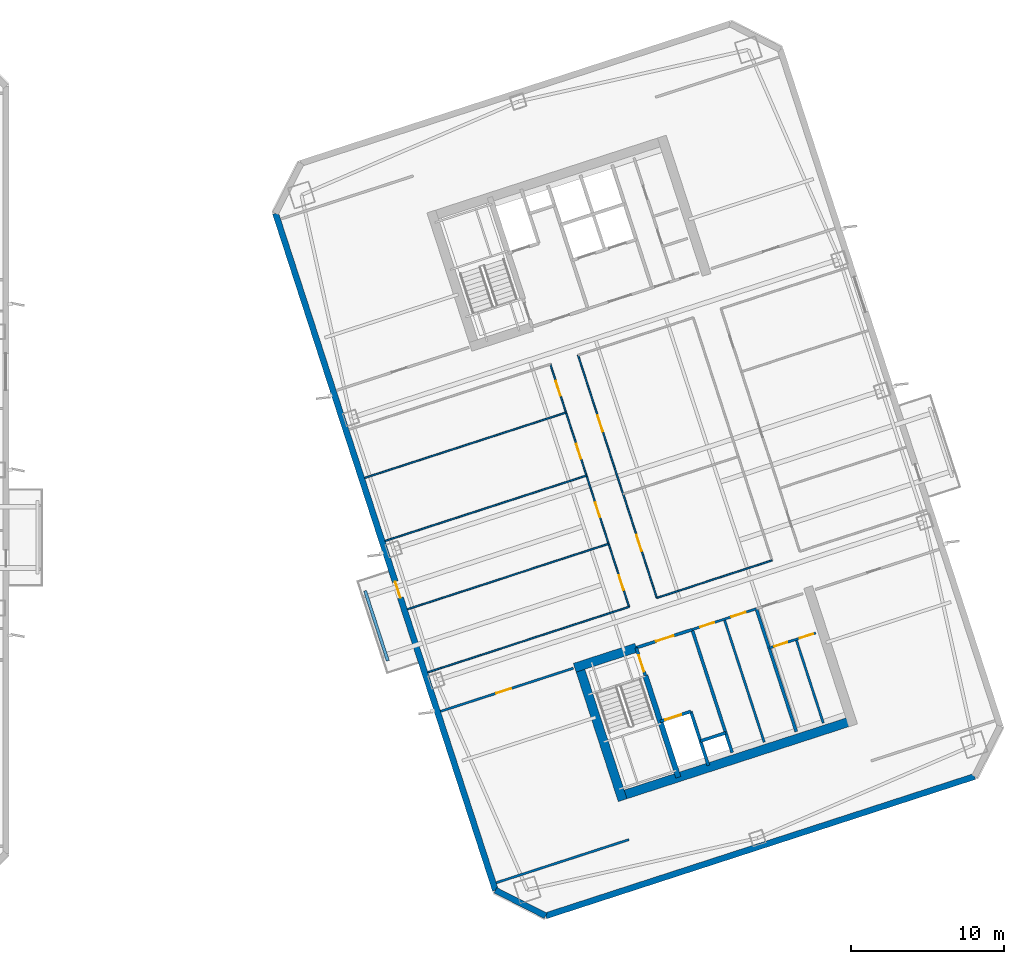
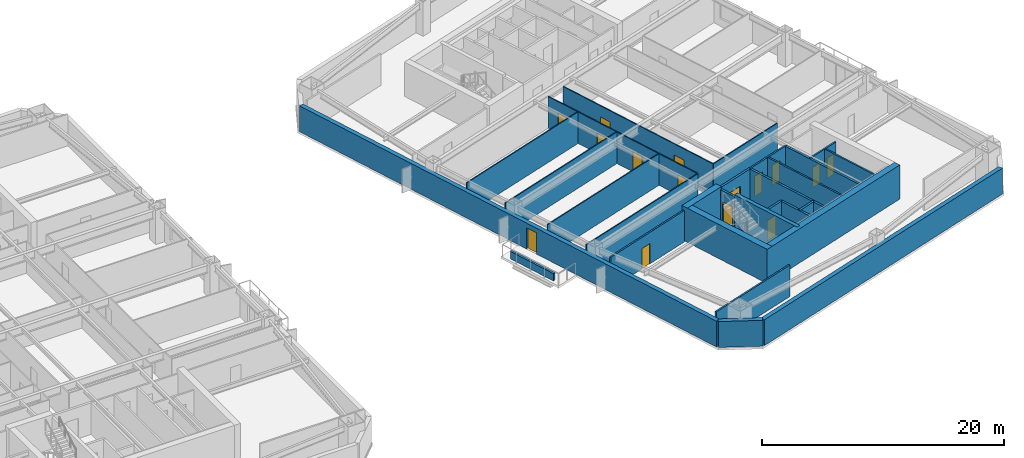
# One storey, part 7 of 16: 28 walls, 15 doors, 15 openings.
"""IFC4 building model written with IfcOpenShell, lengths in metres."""

from ifc_helpers import new_model, si_unit, direction, frame, frame_2d, origin, place, context, subcontext, project, spatial, rectangle, extrude, material, layer, layer_set, type_object, element, fill, save


model = new_model("IFC4")

# Units and contexts
model_context = context("Model", 3, precision=1e-05, world=origin(), true_north=direction((0.0, 1.0)))
body_context = subcontext(model_context, "Body", "Model", "MODEL_VIEW")
ifc_project = project(units=[si_unit("LENGTHUNIT", "METRE"), si_unit("AREAUNIT", "SQUARE_METRE"), si_unit("VOLUMEUNIT", "CUBIC_METRE"), si_unit("PLANEANGLEUNIT", "RADIAN"), si_unit("MASSUNIT", "GRAM", prefix="KILO")], contexts=[model_context])

# Site, building, storey
site_placement = place(None, origin())
site = spatial("IfcSite", under=ifc_project, at=site_placement, CompositionType="ELEMENT")
building_placement = place(site_placement, origin())
building = spatial("IfcBuilding", under=site, at=building_placement, Name="Qiaolan Cultural Towers", CompositionType="ELEMENT")
storey_placement = place(building_placement, frame((0.0, 0.0, 110.39990234375)))
storey = spatial("IfcBuildingStorey", under=building, at=storey_placement, Name="L28", CompositionType="ELEMENT", Elevation=110.39990234375)

# Walls
ifc_material_1 = material(Name="Concrete C50", Category="concrete")
ifc_layer_1 = layer(ifc_material_1, 0.35009765625)
ifc_layer_set_1 = layer_set([ifc_layer_1], Name="Concrete C50")
wall_type_1 = type_object("IfcWallType", Name="WL-CORE-350", PredefinedType="SHEAR", material=ifc_layer_set_1)
wall_1_placement = place(storey_placement, frame((90.486328125, 20.59423828125, 0.0), z_axis=(0.0, 0.0, 1.0), x_axis=(0.309020428229, -0.951055400562, 0.0)))
element("IfcWall", 1, at=wall_1_placement, inside=storey, type_object=wall_type_1, Name="L28 T2-CS Stair Core Dividing Web", PredefinedType="SHEAR", context=body_context, shape_type="SweptSolid", body=[
    extrude(rectangle(XDim=6.97998046875, YDim=0.35009765625, at=frame_2d((3.489990234375, 0.0))), origin(), (0.0, 0.0, 1.0), 3.4501953125),
])
ifc_material_2 = material(Name="Concrete C55", Category="concrete")
ifc_layer_2 = layer(ifc_material_2, 0.60009765625)
ifc_layer_set_2 = layer_set([ifc_layer_2], Name="Concrete C55")
wall_type_2 = type_object("IfcWallType", Name="WL-CORE-600", PredefinedType="SHEAR", material=ifc_layer_set_2)
wall_2_placement = place(storey_placement, frame((88.6298828125, 12.65185546875, 0.0), z_axis=(0.0, 0.0, 1.0), x_axis=(0.95105714907, 0.309015046886, 0.0)))
element("IfcWall", 2, at=wall_2_placement, inside=storey, type_object=wall_type_2, Name="L28 T2-CS Outer Core Shear Wall", PredefinedType="SHEAR", context=body_context, shape_type="SweptSolid", body=[
    extrude(rectangle(XDim=16.400146484375, YDim=0.60009765625, at=frame_2d((8.2001953125, 0.0))), origin(), (0.0, 0.0, 1.0), 3.4501953125),
])
wall_3_placement = place(storey_placement, frame((86.078369140625, 21.47509765625, 0.0), z_axis=(0.0, 0.0, 1.0), x_axis=(0.309017938678, -0.951056209472, 0.0)))
element("IfcWall", 3, at=wall_3_placement, inside=storey, type_object=wall_type_2, Name="L28 T2-CS West Core Shear Wall", PredefinedType="SHEAR", context=body_context, shape_type="SweptSolid", body=[
    extrude(rectangle(XDim=9.479736328125, YDim=0.60009765625, at=frame_2d((4.73974609375, 0.0))), origin(), (0.0, 0.0, 1.0), 3.4501953125),
])
wall_4_placement = place(storey_placement, frame((85.8857421875, 21.09716796875, 0.0), z_axis=(0.0, 0.0, 1.0), x_axis=(0.951068073652, 0.308981422225, 0.0)))
element("IfcWall", 4, at=wall_4_placement, inside=storey, type_object=wall_type_2, Name="L28 T2-CS Stair Front Shear Wall", PredefinedType="SHEAR", context=body_context, shape_type="SweptSolid", body=[
    extrude(rectangle(XDim=4.22021484375, YDim=0.60009765625, at=frame_2d((2.110107421875, 0.0))), origin(), (0.0, 0.0, 1.0), 3.4501953125),
])

# Wall, opening, door
ifc_material_3 = material(Name="Precast Concrete C50 Honed Stone Pier", Category="masonry")
ifc_layer_3 = layer(ifc_material_3, 0.39990234375)
ifc_layer_set_3 = layer_set([ifc_layer_3], Name="Precast Concrete C50 Honed Stone Pier")
wall_type_3 = type_object("IfcWallType", Name="WL-EXT-PIER-400", PredefinedType="SOLIDWALL", material=ifc_layer_set_3)
wall_5_placement = place(storey_placement, frame((80.7158203125, 6.589599609375, 0.0), z_axis=(0.0, 0.0, 1.0), x_axis=(-0.309017542002, 0.95105633836, 0.0)))
wall_5 = element("IfcWall", 5, at=wall_5_placement, inside=storey, type_object=wall_type_3, Name="L28 East Tower Precast Pier Facade Wall F1", PredefinedType="SOLIDWALL", context=body_context, shape_type="SweptSolid", body=[
    extrude(rectangle(XDim=46.39990234375, YDim=0.39990234375, at=frame_2d((23.199951171875, 0.0))), origin(), (0.0, 0.0, 1.0), 2.610107421875),
])
opening_1_placement = place(wall_5_placement, frame((20.050048828125, 0.0, 0.0)))
opening_1 = element("IfcOpeningElement", 6, at=opening_1_placement, cuts=wall_5, Name="Opening BD-01", PredefinedType="OPENING", context=body_context, shape_type="SweptSolid", body=[
    extrude(rectangle(XDim=1.10009765625, YDim=2.14990234375, at=frame_2d((0.550048828125, 1.074951171875))), frame((0.0, 0.2099609375, 0.0), z_axis=(0.0, -1.0, 0.0), x_axis=(1.0, 0.0, 0.0)), (0.0, 0.0, 1.0), 0.419921875),
])
ifc_material_4 = material(Name="Thermally Broken Aluminium Glazed Terrace Door", Category="aluminium")
door_type_1 = type_object("IfcDoorType", Name="DR-BAL-1100", OperationType="NOTDEFINED", PredefinedType="DOOR", material=ifc_material_4)
door_1_placement = place(opening_1_placement, origin())
door_1 = element("IfcDoor", 7, at=door_1_placement, inside=storey, type_object=door_type_1, Name="L28 T2 West Tree Balcony Door", OperationType="SINGLE_SWING_LEFT", OverallHeight=2.14990234375, OverallWidth=1.10009765625, PredefinedType="DOOR", context=body_context, shape_type="SweptSolid", body=[
    extrude(rectangle(XDim=1.10009765625, YDim=2.14990234375, at=frame_2d((0.550048828125, 1.074951171875))), frame((0.0, 0.02490234375, 0.0), z_axis=(0.0, -1.0, 0.0), x_axis=(1.0, 0.0, 0.0)), (0.0, 0.0, 1.0), 0.050048828125),
])
fill(opening_1, door_1)

# Walls
wall_6_placement = place(storey_placement, frame((111.953125, 14.00537109375, 0.0), z_axis=(0.0, 0.0, 1.0), x_axis=(-0.95105505922, -0.309021478754, 0.0)))
element("IfcWall", 8, at=wall_6_placement, inside=storey, type_object=wall_type_3, Name="L28 East Tower Precast Pier Facade Wall F7", PredefinedType="SOLIDWALL", context=body_context, shape_type="SweptSolid", body=[
    extrude(rectangle(XDim=29.39990234375, YDim=0.39990234375, at=frame_2d((14.699951171875, 0.0))), origin(), (0.0, 0.0, 1.0), 2.610107421875),
])
wall_7_placement = place(storey_placement, frame((83.9921875, 4.920166015625, 0.0), z_axis=(0.0, 0.0, 1.0), x_axis=(-0.891001999643, 0.45399937955, 0.0)))
element("IfcWall", 9, at=wall_7_placement, inside=storey, type_object=wall_type_3, Name="L28 East Tower Precast Pier Facade Wall F8", PredefinedType="SOLIDWALL", context=body_context, shape_type="SweptSolid", body=[
    extrude(rectangle(XDim=3.67724609375, YDim=0.39990234375, at=frame_2d((1.838623046875, 0.0))), origin(), (0.0, 0.0, 1.0), 2.610107421875),
])

# Wall, opening, door
ifc_material_5 = material(Name="Concrete C35 Fire Wall", Category="concrete")
ifc_layer_4 = layer(ifc_material_5, 0.199951171875)
ifc_layer_set_4 = layer_set([ifc_layer_4], Name="Concrete C35 Fire Wall")
wall_type_4 = type_object("IfcWallType", Name="WL-FIRE-200", PredefinedType="PARTITIONING", material=ifc_layer_set_4)
wall_8_placement = place(storey_placement, frame((89.8994140625, 22.401123046875, 0.0), z_axis=(0.0, 0.0, 1.0), x_axis=(0.308932062672, -0.951084108086, 0.0)))
wall_8 = element("IfcWall", 10, at=wall_8_placement, inside=storey, type_object=wall_type_4, Name="L28 T2-CS Smokeproof Stair Entry Wall", PredefinedType="PARTITIONING", context=body_context, shape_type="SweptSolid", body=[
    extrude(rectangle(XDim=1.89990234375, YDim=0.199951171875, at=frame_2d((0.949951171875, 0.0))), origin(), (0.0, 0.0, 1.0), 3.175048828125),
])
opening_2_placement = place(wall_8_placement, frame((0.52001953125, 0.0, 0.0)))
opening_2 = element("IfcOpeningElement", 11, at=opening_2_placement, cuts=wall_8, Name="Opening FD-04", PredefinedType="OPENING", context=body_context, shape_type="SweptSolid", body=[
    extrude(rectangle(XDim=1.10009765625, YDim=2.050048828125, at=frame_2d((0.550048828125, 1.02490234375))), frame((0.0, 0.10986328125, 0.0), z_axis=(0.0, -1.0, 0.0), x_axis=(1.0, 0.0, 0.0)), (0.0, 0.0, 1.0), 0.219970703125),
])
ifc_material_6 = material(Name="Galvanized Steel Command Fire Door", Category="steel")
door_type_2 = type_object("IfcDoorType", Name="DR-FD90-1100", OperationType="NOTDEFINED", PredefinedType="DOOR", material=ifc_material_6)
door_2_placement = place(opening_2_placement, origin())
door_2 = element("IfcDoor", 12, at=door_2_placement, inside=storey, type_object=door_type_2, Name="L28 ST-E1 Smokeproof Stair Fire Door", OperationType="SINGLE_SWING_LEFT", OverallHeight=2.050048828125, OverallWidth=1.10009765625, PredefinedType="DOOR", context=body_context, shape_type="SweptSolid", body=[
    extrude(rectangle(XDim=1.10009765625, YDim=2.050048828125, at=frame_2d((0.550048828125, 1.02490234375))), frame((0.0, 0.02490234375, 0.0), z_axis=(0.0, -1.0, 0.0), x_axis=(1.0, 0.0, 0.0)), (0.0, 0.0, 1.0), 0.050048828125),
])
fill(opening_2, door_2)

# Wall
wall_9_placement = place(storey_placement, frame((93.541748046875, 23.584716796875, 0.0), z_axis=(0.0, 0.0, 1.0), x_axis=(0.309042196757, -0.951048327176, 0.0)))
element("IfcWall", 13, at=wall_9_placement, inside=storey, type_object=wall_type_4, Name="L28 T2-CS Firefighting Zone Wall", PredefinedType="PARTITIONING", context=body_context, shape_type="SweptSolid", body=[
    extrude(rectangle(XDim=8.429931640625, YDim=0.199951171875, at=frame_2d((4.21484375, 0.0))), origin(), (0.0, 0.0, 1.0), 3.175048828125),
])

# Wall, opening, door
wall_10_placement = place(storey_placement, frame((89.8994140625, 22.401123046875, 0.0), z_axis=(0.0, 0.0, 1.0), x_axis=(0.951046716504, 0.309047153403, 0.0)))
wall_10 = element("IfcWall", 14, at=wall_10_placement, inside=storey, type_object=wall_type_4, Name="L28 T2-CS Firefighting Lobby Front Wall", PredefinedType="PARTITIONING", context=body_context, shape_type="SweptSolid", body=[
    extrude(rectangle(XDim=3.829833984375, YDim=0.199951171875, at=frame_2d((1.9150390625, 0.0))), origin(), (0.0, 0.0, 1.0), 3.175048828125),
])
opening_3_placement = place(wall_10_placement, frame((1.35009765625, 0.0, 0.0)))
opening_3 = element("IfcOpeningElement", 15, at=opening_3_placement, cuts=wall_10, Name="Opening FD-03", PredefinedType="OPENING", context=body_context, shape_type="SweptSolid", body=[
    extrude(rectangle(XDim=1.199951171875, YDim=2.050048828125, at=frame_2d((0.60009765625, 1.02490234375))), frame((0.0, 0.10986328125, 0.0), z_axis=(0.0, -1.0, 0.0), x_axis=(1.0, 0.0, 0.0)), (0.0, 0.0, 1.0), 0.219970703125),
])
ifc_material_7 = material(Name="Galvanized Steel Smokeproof Lobby Fire Door", Category="steel")
door_type_3 = type_object("IfcDoorType", Name="DR-FD90-1200", OperationType="NOTDEFINED", PredefinedType="DOOR", material=ifc_material_7)
door_3_placement = place(opening_3_placement, origin())
door_3 = element("IfcDoor", 16, at=door_3_placement, inside=storey, type_object=door_type_3, Name="L28 FFL-E1 Firefighting Lobby Fire Door", OperationType="SINGLE_SWING_LEFT", OverallHeight=2.050048828125, OverallWidth=1.199951171875, PredefinedType="DOOR", context=body_context, shape_type="SweptSolid", body=[
    extrude(rectangle(XDim=1.199951171875, YDim=2.050048828125, at=frame_2d((0.60009765625, 1.02490234375))), frame((0.0, 0.02490234375, 0.0), z_axis=(0.0, -1.0, 0.0), x_axis=(1.0, 0.0, 0.0)), (0.0, 0.0, 1.0), 0.050048828125),
])
fill(opening_3, door_3)

wall_11_placement = place(storey_placement, frame((91.459716796875, 17.598388671875, 0.0), z_axis=(0.0, 0.0, 1.0), x_axis=(0.951062257173, 0.308999325213, 0.0)))
wall_11 = element("IfcWall", 17, at=wall_11_placement, inside=storey, type_object=wall_type_4, Name="L28 T2-CS Firefighting Shaft Front Wall", PredefinedType="PARTITIONING", context=body_context, shape_type="SweptSolid", body=[
    extrude(rectangle(XDim=2.10009765625, YDim=0.199951171875, at=frame_2d((1.050048828125, 0.0))), origin(), (0.0, 0.0, 1.0), 3.175048828125),
])
opening_4_placement = place(wall_11_placement, frame((0.35009765625, 0.0, 0.0)))
opening_4 = element("IfcOpeningElement", 18, at=opening_4_placement, cuts=wall_11, Name="Opening LD-01", PredefinedType="OPENING", context=body_context, shape_type="SweptSolid", body=[
    extrude(rectangle(XDim=1.10009765625, YDim=2.050048828125, at=frame_2d((0.550048828125, 1.02490234375))), frame((0.0, 0.10986328125, 0.0), z_axis=(0.0, -1.0, 0.0), x_axis=(1.0, 0.0, 0.0)), (0.0, 0.0, 1.0), 0.219970703125),
])
ifc_material_8 = material(Name="Brushed Stainless Steel S30408 Centre-Parting Lift Landing Door", Category="steel")
door_type_4 = type_object("IfcDoorType", Name="DR-LIFT-1100", OperationType="NOTDEFINED", PredefinedType="DOOR", material=ifc_material_8)
door_4_placement = place(opening_4_placement, origin())
door_4 = element("IfcDoor", 19, at=door_4_placement, inside=storey, type_object=door_type_4, Name="L28 FFL-E1 Firefighting Lift Landing Door", OperationType="DOUBLE_DOOR_SLIDING", OverallHeight=2.050048828125, OverallWidth=1.10009765625, PredefinedType="DOOR", context=body_context, shape_type="SweptSolid", body=[
    extrude(rectangle(XDim=1.10009765625, YDim=2.050048828125, at=frame_2d((0.550048828125, 1.02490234375))), frame((0.0, 0.02490234375, 0.0), z_axis=(0.0, -1.0, 0.0), x_axis=(1.0, 0.0, 0.0)), (0.0, 0.0, 1.0), 0.050048828125),
])
fill(opening_4, door_4)

# Walls
wall_12_placement = place(storey_placement, frame((93.45703125, 18.247314453125, 0.0), z_axis=(0.0, 0.0, 1.0), x_axis=(0.3089935693, -0.951064127245, 0.0)))
element("IfcWall", 20, at=wall_12_placement, inside=storey, type_object=wall_type_4, Name="L28 T2-CS Firefighting Hoistway East Wall", PredefinedType="PARTITIONING", context=body_context, shape_type="SweptSolid", body=[
    extrude(rectangle(XDim=3.7001953125, YDim=0.199951171875, at=frame_2d((1.85009765625, 0.0))), origin(), (0.0, 0.0, 1.0), 3.175048828125),
])
wall_13_placement = place(storey_placement, frame((94.08447265625, 16.316650390625, 0.0), z_axis=(0.0, 0.0, 1.0), x_axis=(0.951041328149, 0.309063734775, 0.0)))
element("IfcWall", 21, at=wall_13_placement, inside=storey, type_object=wall_type_4, Name="L28 T2-CS Pressurization Shaft Front Wall", PredefinedType="PARTITIONING", context=body_context, shape_type="SweptSolid", body=[
    extrude(rectangle(XDim=1.72998046875, YDim=0.199951171875, at=frame_2d((0.864990234375, 0.0))), origin(), (0.0, 0.0, 1.0), 3.175048828125),
])
wall_14_placement = place(storey_placement, frame((97.7265625, 24.9443359375, 0.0), z_axis=(0.0, 0.0, 1.0), x_axis=(0.309016001439, -0.951056838919, 0.0)))
element("IfcWall", 22, at=wall_14_placement, inside=storey, type_object=wall_type_4, Name="L28 T2-CS Lift Core East Wall", PredefinedType="PARTITIONING", context=body_context, shape_type="SweptSolid", body=[
    extrude(rectangle(XDim=8.429931640625, YDim=0.199951171875, at=frame_2d((4.21484375, 0.0))), origin(), (0.0, 0.0, 1.0), 3.175048828125),
])
ifc_material_9 = material(Name="Acoustic Double-Glazed Partition Frame", Category="glass")
ifc_layer_5 = layer(ifc_material_9, 0.10009765625)
ifc_layer_set_5 = layer_set([ifc_layer_5], Name="Acoustic Double-Glazed Partition Frame")
wall_type_5 = type_object("IfcWallType", Name="WL-GLAZED-100", PredefinedType="MOVABLE", material=ifc_layer_set_5)
wall_15_placement = place(storey_placement, frame((76.307861328125, 20.802978515625, 0.0), z_axis=(0.0, 0.0, 1.0), x_axis=(0.951058377365, 0.309011266531, 0.0)))
element("IfcWall", 23, at=wall_15_placement, inside=storey, type_object=wall_type_5, Name="L28 T2 Interior Wall", PredefinedType="MOVABLE", context=body_context, shape_type="SweptSolid", body=[
    extrude(rectangle(XDim=13.800048828125, YDim=0.10009765625, at=frame_2d((6.89990234375, 0.0))), origin(), (0.0, 0.0, 1.0), 3.175048828125),
])
wall_16_placement = place(storey_placement, frame((91.239501953125, 25.654541015625, 0.0), z_axis=(0.0, 0.0, 1.0), x_axis=(0.951060182336, 0.309005711233, 0.0)))
element("IfcWall", 24, at=wall_16_placement, inside=storey, type_object=wall_type_5, Name="L28 T2 Interior Wall", PredefinedType="MOVABLE", context=body_context, shape_type="SweptSolid", body=[
    extrude(rectangle(XDim=7.900146484375, YDim=0.10009765625, at=frame_2d((3.9501953125, 0.0))), origin(), (0.0, 0.0, 1.0), 3.175048828125),
])

# Wall, openings, doors
wall_17_placement = place(storey_placement, frame((89.4326171875, 25.0673828125, 0.0), z_axis=(0.0, 0.0, 1.0), x_axis=(-0.30901773025, 0.951056277195, 0.0)))
wall_17 = element("IfcWall", 25, at=wall_17_placement, inside=storey, type_object=wall_type_5, Name="L28 T2 Interior Wall", PredefinedType="MOVABLE", context=body_context, shape_type="SweptSolid", body=[
    extrude(rectangle(XDim=16.64013671875, YDim=0.10009765625, at=frame_2d((8.320068359375, 0.0))), origin(), (0.0, 0.0, 1.0), 3.175048828125),
])
opening_5_placement = place(wall_17_placement, frame((1.159912109375, 0.0, 0.0)))
opening_5 = element("IfcOpeningElement", 26, at=opening_5_placement, cuts=wall_17, Name="Opening ID-04", PredefinedType="OPENING", context=body_context, shape_type="SweptSolid", body=[
    extrude(rectangle(XDim=1.0, YDim=2.050048828125, at=frame_2d((0.5, 1.02490234375))), frame((0.0, 0.06005859375, 0.0), z_axis=(0.0, -1.0, 0.0), x_axis=(1.0, 0.0, 0.0)), (0.0, 0.0, 1.0), 0.1201171875),
])
opening_6_placement = place(wall_17_placement, frame((6.159912109375, 0.0, 0.0)))
opening_6 = element("IfcOpeningElement", 27, at=opening_6_placement, cuts=wall_17, Name="Opening ID-04", PredefinedType="OPENING", context=body_context, shape_type="SweptSolid", body=[
    extrude(rectangle(XDim=1.0, YDim=2.050048828125, at=frame_2d((0.5, 1.02490234375))), frame((0.0, 0.06005859375, 0.0), z_axis=(0.0, -1.0, 0.0), x_axis=(1.0, 0.0, 0.0)), (0.0, 0.0, 1.0), 0.1201171875),
])
opening_7_placement = place(wall_17_placement, frame((10.159912109375, 0.0, 0.0)))
opening_7 = element("IfcOpeningElement", 28, at=opening_7_placement, cuts=wall_17, Name="Opening ID-04", PredefinedType="OPENING", context=body_context, shape_type="SweptSolid", body=[
    extrude(rectangle(XDim=1.0, YDim=2.050048828125, at=frame_2d((0.5, 1.02490234375))), frame((0.0, 0.06005859375, 0.0), z_axis=(0.0, -1.0, 0.0), x_axis=(1.0, 0.0, 0.0)), (0.0, 0.0, 1.0), 0.1201171875),
])
opening_8_placement = place(wall_17_placement, frame((14.47998046875, 0.0, 0.0)))
opening_8 = element("IfcOpeningElement", 29, at=opening_8_placement, cuts=wall_17, Name="Opening ID-04", PredefinedType="OPENING", context=body_context, shape_type="SweptSolid", body=[
    extrude(rectangle(XDim=1.0, YDim=2.050048828125, at=frame_2d((0.5, 1.02490234375))), frame((0.0, 0.06005859375, 0.0), z_axis=(0.0, -1.0, 0.0), x_axis=(1.0, 0.0, 0.0)), (0.0, 0.0, 1.0), 0.1201171875),
])
ifc_material_10 = material(Name="Oak Veneer Acoustic Office Door", Category="timber")
door_type_5 = type_object("IfcDoorType", Name="DR-INT-1000", OperationType="NOTDEFINED", PredefinedType="DOOR", material=ifc_material_10)
door_5_placement = place(opening_5_placement, origin())
door_5 = element("IfcDoor", 30, at=door_5_placement, inside=storey, type_object=door_type_5, Name="L28 T2 Advisory Office Door", OperationType="SINGLE_SWING_LEFT", OverallHeight=2.050048828125, OverallWidth=1.0, PredefinedType="DOOR", context=body_context, shape_type="SweptSolid", body=[
    extrude(rectangle(XDim=1.0, YDim=2.050048828125, at=frame_2d((0.5, 1.02490234375))), frame((0.0, 0.02490234375, 0.0), z_axis=(0.0, -1.0, 0.0), x_axis=(1.0, 0.0, 0.0)), (0.0, 0.0, 1.0), 0.050048828125),
])
fill(opening_5, door_5)
door_6_placement = place(opening_6_placement, origin())
door_6 = element("IfcDoor", 31, at=door_6_placement, inside=storey, type_object=door_type_5, Name="L28 T2 Advisory Office Door", OperationType="SINGLE_SWING_LEFT", OverallHeight=2.050048828125, OverallWidth=1.0, PredefinedType="DOOR", context=body_context, shape_type="SweptSolid", body=[
    extrude(rectangle(XDim=1.0, YDim=2.050048828125, at=frame_2d((0.5, 1.02490234375))), frame((0.0, 0.02490234375, 0.0), z_axis=(0.0, -1.0, 0.0), x_axis=(1.0, 0.0, 0.0)), (0.0, 0.0, 1.0), 0.050048828125),
])
fill(opening_6, door_6)
door_7_placement = place(opening_7_placement, origin())
door_7 = element("IfcDoor", 32, at=door_7_placement, inside=storey, type_object=door_type_5, Name="L28 T2 Advisory Office Door", OperationType="SINGLE_SWING_RIGHT", OverallHeight=2.050048828125, OverallWidth=1.0, PredefinedType="DOOR", context=body_context, shape_type="SweptSolid", body=[
    extrude(rectangle(XDim=1.0, YDim=2.050048828125, at=frame_2d((0.5, 1.02490234375))), frame((0.0, 0.02490234375, 0.0), z_axis=(0.0, -1.0, 0.0), x_axis=(1.0, 0.0, 0.0)), (0.0, 0.0, 1.0), 0.050048828125),
])
fill(opening_7, door_7)
door_8_placement = place(opening_8_placement, origin())
door_8 = element("IfcDoor", 33, at=door_8_placement, inside=storey, type_object=door_type_5, Name="L28 T2 Advisory Office Door", OperationType="SINGLE_SWING_RIGHT", OverallHeight=2.050048828125, OverallWidth=1.0, PredefinedType="DOOR", context=body_context, shape_type="SweptSolid", body=[
    extrude(rectangle(XDim=1.0, YDim=2.050048828125, at=frame_2d((0.5, 1.02490234375))), frame((0.0, 0.02490234375, 0.0), z_axis=(0.0, -1.0, 0.0), x_axis=(1.0, 0.0, 0.0)), (0.0, 0.0, 1.0), 0.050048828125),
])
fill(opening_8, door_8)

wall_18_placement = place(storey_placement, frame((91.239501953125, 25.654541015625, 0.0), z_axis=(0.0, 0.0, 1.0), x_axis=(-0.30901773025, 0.951056277195, 0.0)))
wall_18 = element("IfcWall", 34, at=wall_18_placement, inside=storey, type_object=wall_type_5, Name="L28 T2 Interior Wall", PredefinedType="MOVABLE", context=body_context, shape_type="SweptSolid", body=[
    extrude(rectangle(XDim=16.64013671875, YDim=0.10009765625, at=frame_2d((8.320068359375, 0.0))), origin(), (0.0, 0.0, 1.0), 3.175048828125),
])
opening_9_placement = place(wall_18_placement, frame((3.2041015625, 0.0, 0.0)))
opening_9 = element("IfcOpeningElement", 35, at=opening_9_placement, cuts=wall_18, Name="Opening ID-03", PredefinedType="OPENING", context=body_context, shape_type="SweptSolid", body=[
    extrude(rectangle(XDim=1.10009765625, YDim=2.050048828125, at=frame_2d((0.550048828125, 1.02490234375))), frame((0.0, 0.06005859375, 0.0), z_axis=(0.0, -1.0, 0.0), x_axis=(1.0, 0.0, 0.0)), (0.0, 0.0, 1.0), 0.1201171875),
])
opening_10_placement = place(wall_18_placement, frame((11.404052734375, 0.0, 0.0)))
opening_10 = element("IfcOpeningElement", 36, at=opening_10_placement, cuts=wall_18, Name="Opening ID-03", PredefinedType="OPENING", context=body_context, shape_type="SweptSolid", body=[
    extrude(rectangle(XDim=1.10009765625, YDim=2.050048828125, at=frame_2d((0.550048828125, 1.02490234375))), frame((0.0, 0.06005859375, 0.0), z_axis=(0.0, -1.0, 0.0), x_axis=(1.0, 0.0, 0.0)), (0.0, 0.0, 1.0), 0.1201171875),
])
ifc_material_11 = material(Name="Oak Veneer Solid-Core Boardroom Door", Category="timber")
door_type_6 = type_object("IfcDoorType", Name="DR-INT-1100", OperationType="NOTDEFINED", PredefinedType="DOOR", material=ifc_material_11)
door_9_placement = place(opening_9_placement, origin())
door_9 = element("IfcDoor", 37, at=door_9_placement, inside=storey, type_object=door_type_6, Name="L28 T2 Central Boardroom Door", OperationType="SINGLE_SWING_LEFT", OverallHeight=2.050048828125, OverallWidth=1.10009765625, PredefinedType="DOOR", context=body_context, shape_type="SweptSolid", body=[
    extrude(rectangle(XDim=1.10009765625, YDim=2.050048828125, at=frame_2d((0.550048828125, 1.02490234375))), frame((0.0, 0.02490234375, 0.0), z_axis=(0.0, -1.0, 0.0), x_axis=(1.0, 0.0, 0.0)), (0.0, 0.0, 1.0), 0.050048828125),
])
fill(opening_9, door_9)
door_10_placement = place(opening_10_placement, origin())
door_10 = element("IfcDoor", 38, at=door_10_placement, inside=storey, type_object=door_type_6, Name="L28 T2 Central Archive Salon Door", OperationType="SINGLE_SWING_RIGHT", OverallHeight=2.050048828125, OverallWidth=1.10009765625, PredefinedType="DOOR", context=body_context, shape_type="SweptSolid", body=[
    extrude(rectangle(XDim=1.10009765625, YDim=2.050048828125, at=frame_2d((0.550048828125, 1.02490234375))), frame((0.0, 0.02490234375, 0.0), z_axis=(0.0, -1.0, 0.0), x_axis=(1.0, 0.0, 0.0)), (0.0, 0.0, 1.0), 0.050048828125),
])
fill(opening_10, door_10)

# Walls
wall_19_placement = place(storey_placement, frame((74.972900390625, 24.91162109375, 0.0), z_axis=(0.0, 0.0, 1.0), x_axis=(0.951058377365, 0.309011266531, 0.0)))
element("IfcWall", 39, at=wall_19_placement, inside=storey, type_object=wall_type_5, Name="L28 T2 Interior Wall", PredefinedType="MOVABLE", context=body_context, shape_type="SweptSolid", body=[
    extrude(rectangle(XDim=13.800048828125, YDim=0.10009765625, at=frame_2d((6.89990234375, 0.0))), origin(), (0.0, 0.0, 1.0), 3.175048828125),
])
for number, where, z_axis, x_axis, name in (
    (40, (73.52685546875, 29.362548828125, 0.0), (0.0, 0.0, 1.0), (0.951056688031, 0.309016465825, 0.0), "L28 T2 Interior Wall"),
    (41, (72.19189453125, 33.47119140625, 0.0), (0.0, 0.0, 1.0), (0.951056688031, 0.309016465825, 0.0), "L28 T2 Interior Wall"),
):
    element("IfcWall", number, at=place(storey_placement, frame(where, z_axis=z_axis, x_axis=x_axis)), inside=storey, type_object=wall_type_5, Name=name, PredefinedType="MOVABLE", context=body_context, shape_type="SweptSolid", body=[
        extrude(rectangle(XDim=13.7998046875, YDim=0.10009765625, at=frame_2d((6.89990234375, 0.0))), origin(), (0.0, 0.0, 1.0), 3.175048828125),
    ])

# Wall, openings, doors
ifc_material_12 = material(Name="Autoclaved Aerated Concrete Block B06", Category="concrete")
ifc_layer_6 = layer(ifc_material_12, 0.14990234375)
ifc_layer_set_6 = layer_set([ifc_layer_6], Name="Autoclaved Aerated Concrete Block B06")
wall_type_6 = type_object("IfcWallType", Name="WL-PART-150", PredefinedType="PARTITIONING", material=ifc_layer_set_6)
wall_20_placement = place(storey_placement, frame((93.541748046875, 23.584716796875, 0.0), z_axis=(0.0, 0.0, 1.0), x_axis=(0.951063829732, 0.308994485023, 0.0)))
wall_20 = element("IfcWall", 42, at=wall_20_placement, inside=storey, type_object=wall_type_6, Name="L28 T2-CS Reclaimed Core Room Front Wall", PredefinedType="PARTITIONING", context=body_context, shape_type="SweptSolid", body=[
    extrude(rectangle(XDim=4.400146484375, YDim=0.14990234375, at=frame_2d((2.2001953125, 0.0))), origin(), (0.0, 0.0, 1.0), 3.175048828125),
])
opening_11_placement = place(wall_20_placement, frame((0.550048828125, 0.0, 0.0)))
opening_11 = element("IfcOpeningElement", 43, at=opening_11_placement, cuts=wall_20, Name="Opening ID-05", PredefinedType="OPENING", context=body_context, shape_type="SweptSolid", body=[
    extrude(rectangle(XDim=0.949951171875, YDim=2.050048828125, at=frame_2d((0.47509765625, 1.02490234375))), frame((0.0, 0.0849609375, 0.0), z_axis=(0.0, -1.0, 0.0), x_axis=(1.0, 0.0, 0.0)), (0.0, 0.0, 1.0), 0.169921875),
])
opening_12_placement = place(wall_20_placement, frame((2.699951171875, 0.0, 0.0)))
opening_12 = element("IfcOpeningElement", 44, at=opening_12_placement, cuts=wall_20, Name="Opening ID-05", PredefinedType="OPENING", context=body_context, shape_type="SweptSolid", body=[
    extrude(rectangle(XDim=0.949951171875, YDim=2.050048828125, at=frame_2d((0.47509765625, 1.02490234375))), frame((0.0, 0.0849609375, 0.0), z_axis=(0.0, -1.0, 0.0), x_axis=(1.0, 0.0, 0.0)), (0.0, 0.0, 1.0), 0.169921875),
])
ifc_material_13 = material(Name="Fire-Rated Laminate Accessible Core Door", Category="timber")
door_type_7 = type_object("IfcDoorType", Name="DR-INT-950", OperationType="NOTDEFINED", PredefinedType="DOOR", material=ifc_material_13)
door_11_placement = place(opening_11_placement, origin())
door_11 = element("IfcDoor", 45, at=door_11_placement, inside=storey, type_object=door_type_7, Name="L28 Copy Print Room Door", OperationType="SINGLE_SWING_LEFT", OverallHeight=2.050048828125, OverallWidth=0.949951171875, PredefinedType="DOOR", context=body_context, shape_type="SweptSolid", body=[
    extrude(rectangle(XDim=0.949951171875, YDim=2.050048828125, at=frame_2d((0.47509765625, 1.02490234375))), frame((0.0, 0.02490234375, 0.0), z_axis=(0.0, -1.0, 0.0), x_axis=(1.0, 0.0, 0.0)), (0.0, 0.0, 1.0), 0.050048828125),
])
fill(opening_11, door_11)
door_12_placement = place(opening_12_placement, origin())
door_12 = element("IfcDoor", 46, at=door_12_placement, inside=storey, type_object=door_type_7, Name="L28 Tea Pantry Room Door", OperationType="SINGLE_SWING_RIGHT", OverallHeight=2.050048828125, OverallWidth=0.949951171875, PredefinedType="DOOR", context=body_context, shape_type="SweptSolid", body=[
    extrude(rectangle(XDim=0.949951171875, YDim=2.050048828125, at=frame_2d((0.47509765625, 1.02490234375))), frame((0.0, 0.02490234375, 0.0), z_axis=(0.0, -1.0, 0.0), x_axis=(1.0, 0.0, 0.0)), (0.0, 0.0, 1.0), 0.050048828125),
])
fill(opening_12, door_12)

# Wall
wall_21_placement = place(storey_placement, frame((95.63427734375, 24.2646484375, 0.0), z_axis=(0.0, 0.0, 1.0), x_axis=(0.309007490203, -0.951059604335, 0.0)))
element("IfcWall", 47, at=wall_21_placement, inside=storey, type_object=wall_type_6, Name="L28 T2-CS Reclaimed Twin Room Wall", PredefinedType="PARTITIONING", context=body_context, shape_type="SweptSolid", body=[
    extrude(rectangle(XDim=8.43017578125, YDim=0.14990234375, at=frame_2d((4.215087890625, 0.0))), origin(), (0.0, 0.0, 1.0), 3.175048828125),
])

# Wall, openings, doors
wall_22_placement = place(storey_placement, frame((98.560791015625, 22.37646484375, 0.0), z_axis=(0.0, 0.0, 1.0), x_axis=(0.95104415986, 0.309055020985, 0.0)))
wall_22 = element("IfcWall", 48, at=wall_22_placement, inside=storey, type_object=wall_type_6, Name="L28 T2-CS Restroom Vestibule Wall", PredefinedType="PARTITIONING", context=body_context, shape_type="SweptSolid", body=[
    extrude(rectangle(XDim=3.2001953125, YDim=0.14990234375, at=frame_2d((1.60009765625, 0.0))), origin(), (0.0, 0.0, 1.0), 3.175048828125),
])
opening_13_placement = place(wall_22_placement, frame((0.35009765625, 0.0, 0.0)))
opening_13 = element("IfcOpeningElement", 49, at=opening_13_placement, cuts=wall_22, Name="Opening ID-06", PredefinedType="OPENING", context=body_context, shape_type="SweptSolid", body=[
    extrude(rectangle(XDim=0.89990234375, YDim=2.050048828125, at=frame_2d((0.449951171875, 1.02490234375))), frame((0.0, 0.0849609375, 0.0), z_axis=(0.0, -1.0, 0.0), x_axis=(1.0, 0.0, 0.0)), (0.0, 0.0, 1.0), 0.169921875),
])
opening_14_placement = place(wall_22_placement, frame((2.10009765625, 0.0, 0.0)))
opening_14 = element("IfcOpeningElement", 50, at=opening_14_placement, cuts=wall_22, Name="Opening ID-06", PredefinedType="OPENING", context=body_context, shape_type="SweptSolid", body=[
    extrude(rectangle(XDim=0.89990234375, YDim=2.050048828125, at=frame_2d((0.449951171875, 1.02490234375))), frame((0.0, 0.0849609375, 0.0), z_axis=(0.0, -1.0, 0.0), x_axis=(1.0, 0.0, 0.0)), (0.0, 0.0, 1.0), 0.169921875),
])
ifc_material_14 = material(Name="Fire-Rated Laminate Core Service Door", Category="timber")
door_type_8 = type_object("IfcDoorType", Name="DR-INT-900", OperationType="NOTDEFINED", PredefinedType="DOOR", material=ifc_material_14)
door_13_placement = place(opening_13_placement, origin())
door_13 = element("IfcDoor", 51, at=door_13_placement, inside=storey, type_object=door_type_8, Name="L28 Men Restroom Door", OperationType="SINGLE_SWING_LEFT", OverallHeight=2.050048828125, OverallWidth=0.89990234375, PredefinedType="DOOR", context=body_context, shape_type="SweptSolid", body=[
    extrude(rectangle(XDim=0.89990234375, YDim=2.050048828125, at=frame_2d((0.449951171875, 1.02490234375))), frame((0.0, 0.02490234375, 0.0), z_axis=(0.0, -1.0, 0.0), x_axis=(1.0, 0.0, 0.0)), (0.0, 0.0, 1.0), 0.050048828125),
])
fill(opening_13, door_13)
door_14_placement = place(opening_14_placement, origin())
door_14 = element("IfcDoor", 52, at=door_14_placement, inside=storey, type_object=door_type_8, Name="L28 Accessible & Women Restroom Door", OperationType="SINGLE_SWING_RIGHT", OverallHeight=2.050048828125, OverallWidth=0.89990234375, PredefinedType="DOOR", context=body_context, shape_type="SweptSolid", body=[
    extrude(rectangle(XDim=0.89990234375, YDim=2.050048828125, at=frame_2d((0.449951171875, 1.02490234375))), frame((0.0, 0.02490234375, 0.0), z_axis=(0.0, -1.0, 0.0), x_axis=(1.0, 0.0, 0.0)), (0.0, 0.0, 1.0), 0.050048828125),
])
fill(opening_14, door_14)

# Walls
wall_23_placement = place(storey_placement, frame((100.3203125, 22.9482421875, 0.0), z_axis=(0.0, 0.0, 1.0), x_axis=(0.309035009867, -0.951050662518, 0.0)))
element("IfcWall", 53, at=wall_23_placement, inside=storey, type_object=wall_type_6, Name="L28 T2-CS Restroom Divider Wall", PredefinedType="PARTITIONING", context=body_context, shape_type="SweptSolid", body=[
    extrude(rectangle(XDim=5.72998046875, YDim=0.14990234375, at=frame_2d((2.864990234375, 0.0))), origin(), (0.0, 0.0, 1.0), 3.175048828125),
])
wall_24_placement = place(storey_placement, frame((80.76708984375, 7.079345703125, 0.0), z_axis=(0.0, 0.0, 1.0), x_axis=(0.951057133767, 0.309015093986, 0.0)))
element("IfcWall", 54, at=wall_24_placement, inside=storey, type_object=wall_type_6, Name="L28 T2 Flank Wall FLK-SW", PredefinedType="PARTITIONING", context=body_context, shape_type="SweptSolid", body=[
    extrude(rectangle(XDim=9.099853515625, YDim=0.14990234375, at=frame_2d((4.5498046875, 0.0))), origin(), (0.0, 0.0, 1.0), 3.175048828125),
])

# Wall, opening, door
wall_25_placement = place(storey_placement, frame((77.13623046875, 18.254150390625, 0.0), z_axis=(0.0, 0.0, 1.0), x_axis=(0.951057133767, 0.309015093986, 0.0)))
wall_25 = element("IfcWall", 55, at=wall_25_placement, inside=storey, type_object=wall_type_6, Name="L28 T2 Flank Front FLK-SW", PredefinedType="PARTITIONING", context=body_context, shape_type="SweptSolid", body=[
    extrude(rectangle(XDim=9.099853515625, YDim=0.14990234375, at=frame_2d((4.5498046875, 0.0))), origin(), (0.0, 0.0, 1.0), 3.175048828125),
])
opening_15_placement = place(wall_25_placement, frame((3.822021484375, 0.0, 0.0)))
opening_15 = element("IfcOpeningElement", 56, at=opening_15_placement, cuts=wall_25, Name="Opening ID-04", PredefinedType="OPENING", context=body_context, shape_type="SweptSolid", body=[
    extrude(rectangle(XDim=1.0, YDim=2.050048828125, at=frame_2d((0.5, 1.02490234375))), frame((0.0, 0.0849609375, 0.0), z_axis=(0.0, -1.0, 0.0), x_axis=(1.0, 0.0, 0.0)), (0.0, 0.0, 1.0), 0.169921875),
])
door_15_placement = place(opening_15_placement, origin())
door_15 = element("IfcDoor", 57, at=door_15_placement, inside=storey, type_object=door_type_5, Name="L28 T2 Corner Studio Door", OperationType="SINGLE_SWING_LEFT", OverallHeight=2.050048828125, OverallWidth=1.0, PredefinedType="DOOR", context=body_context, shape_type="SweptSolid", body=[
    extrude(rectangle(XDim=1.0, YDim=2.050048828125, at=frame_2d((0.5, 1.02490234375))), frame((0.0, 0.02490234375, 0.0), z_axis=(0.0, -1.0, 0.0), x_axis=(1.0, 0.0, 0.0)), (0.0, 0.0, 1.0), 0.050048828125),
])
fill(opening_15, door_15)

# Wall
ifc_material_15 = material(Name="Precast Concrete C45 Tree Planter Upstand", Category="concrete")
ifc_layer_7 = layer(ifc_material_15, 0.199951171875)
ifc_layer_set_7 = layer_set([ifc_layer_7], Name="Precast Concrete C45 Tree Planter Upstand")
wall_type_7 = type_object("IfcWallType", Name="WL-PLANTER-200", PredefinedType="PARAPET", material=ifc_layer_set_7)
wall_26_placement = place(storey_placement, frame((73.698486328125, 21.55322265625, 0.0), z_axis=(0.0, 0.0, 1.0), x_axis=(-0.309032019345, 0.951051634255, 0.0)))
element("IfcWall", 58, at=wall_26_placement, inside=storey, type_object=wall_type_7, Name="L28 T2 Tree Balcony Soil Planter Box W", PredefinedType="PARAPET", context=body_context, shape_type="SweptSolid", body=[
    extrude(rectangle(XDim=4.800048828125, YDim=0.199951171875, at=frame_2d((2.39990234375, 0.0))), origin(), (0.0, 0.0, 1.0), 0.75),
])

save(model, "model.ifc")
